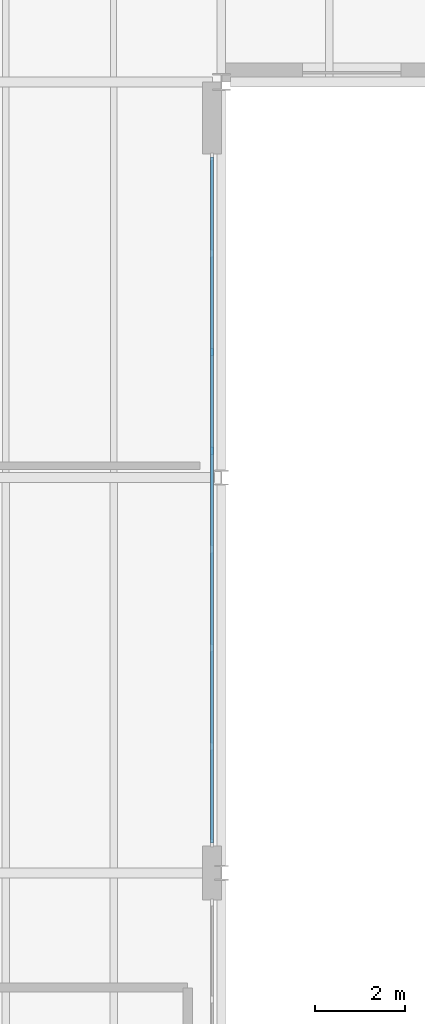
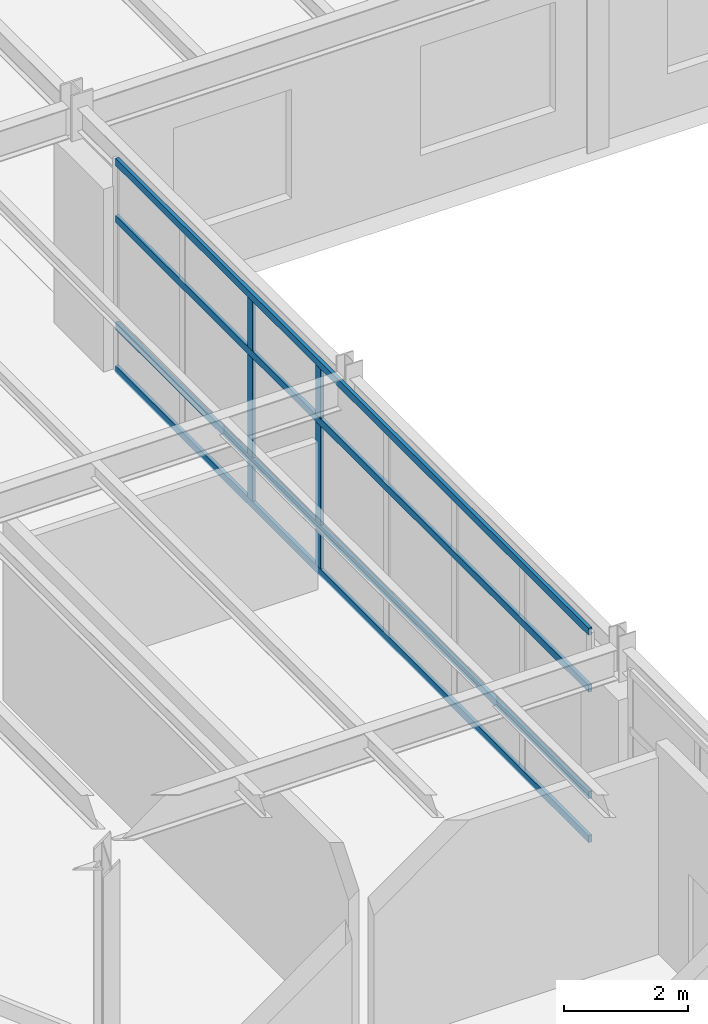
# One storey, part 23 of 88: 6 members, 1 element without a shape of its own.
"""IFC4 building model written with IfcOpenShell, lengths in metres."""

from ifc_helpers import new_model, si_unit, direction, frame, origin, origin_2d, place, context, subcontext, project, spatial, rectangle, extrude, material, material_profile, profile_set, type_object, element, aggregate, save


model = new_model("IFC4")

# Units and contexts
model_context = context("Model", 3, precision=1e-05, world=origin(), true_north=direction((0.0, 1.0)))
body_context = subcontext(model_context, "Body", "Model", "MODEL_VIEW")
ifc_project = project(units=[si_unit("LENGTHUNIT", "METRE"), si_unit("AREAUNIT", "SQUARE_METRE"), si_unit("VOLUMEUNIT", "CUBIC_METRE"), si_unit("PLANEANGLEUNIT", "RADIAN"), si_unit("MASSUNIT", "GRAM", prefix="KILO")], contexts=[model_context])

# Site, building, storey
site_placement = place(None, origin())
site = spatial("IfcSite", under=ifc_project, at=site_placement, CompositionType="ELEMENT")
building_placement = place(site_placement, origin())
building = spatial("IfcBuilding", under=site, at=building_placement, Name="Sarnbrook Museum", CompositionType="ELEMENT")
storey_placement = place(building_placement, frame((0.0, 0.0, 10.10009765625)))
storey = spatial("IfcBuildingStorey", under=building, at=storey_placement, Name="L02", CompositionType="ELEMENT", Elevation=10.10009765625)

# Curtain wall, members
ifc_material = material(Name="Thermally Broken Anodised Aluminium 6063-T6", Category="aluminium")
curtain_wall_type = type_object("IfcCurtainWallType", Name="CurtainWall_GalleryRibbon", PredefinedType="NOTDEFINED", material=ifc_material)
curtain_wall_placement = place(storey_placement, origin())
curtain_wall = element("IfcCurtainWall", 1, at=curtain_wall_placement, inside=storey, type_object=curtain_wall_type, Name="Gallery Ribbon Curtain Wall L02-12.2", PredefinedType="NOTDEFINED")
ifc_material_profile_1 = material_profile(ifc_material, rectangle(XDim=0.06005859375, YDim=0.159912109375, at=origin_2d()), Name="ALU MULLION 60x160")
ifc_profile_set_1 = profile_set([ifc_material_profile_1], Name="Thermally Broken Anodised Aluminium 6063-T6")
member_type_1 = type_object("IfcMemberType", Name="CW_Mullion_150x65", PredefinedType="MULLION", material=ifc_profile_set_1)
member_1_placement = place(storey_placement, frame((42.18994140625, 66.197021484375, 0.0), z_axis=(0.0, 0.0, 1.0), x_axis=(1.0, 0.0, 0.0)))
member_1 = element("IfcMember", 2, at=member_1_placement, type_object=member_type_1, Name="Gallery Ribbon Curtain Wall L02-12.2 Mullion 5", PredefinedType="MULLION", context=body_context, shape_type="SweptSolid", body=[
    extrude(rectangle(XDim=0.06005859375, YDim=0.159912109375, at=origin_2d()), origin(), (0.0, 0.0, 1.0), 4.159912109375),
])
member_2_placement = place(storey_placement, frame((42.18994140625, 68.391357421875, 0.0), z_axis=(0.0, 0.0, 1.0), x_axis=(1.0, 0.0, 0.0)))
member_2 = element("IfcMember", 3, at=member_2_placement, type_object=member_type_1, Name="Gallery Ribbon Curtain Wall L02-12.2 Mullion 6", PredefinedType="MULLION", context=body_context, shape_type="SweptSolid", body=[
    extrude(rectangle(XDim=0.06005859375, YDim=0.159912109375, at=origin_2d()), origin(), (0.0, 0.0, 1.0), 4.159912109375),
])
ifc_material_profile_2 = material_profile(ifc_material, rectangle(XDim=0.06494140625, YDim=0.139892578125, at=origin_2d()), Name="ALU TRANSOM 65x140")
ifc_profile_set_2 = profile_set([ifc_material_profile_2], Name="Thermally Broken Anodised Aluminium 6063-T6")
member_type_2 = type_object("IfcMemberType", Name="CW_Transom_150x65", PredefinedType="USERDEFINED", material=ifc_profile_set_2)
member_3_placement = place(storey_placement, frame((42.18994140625, 57.469970703125, 0.039794921875), z_axis=(0.0, 1.0, 0.0), x_axis=(-1.0, 0.0, 0.0)))
member_3 = element("IfcMember", 4, at=member_3_placement, type_object=member_type_2, Name="Gallery Ribbon Curtain Wall L02-12.2 Transom 1", ObjectType="TRANSOM", PredefinedType="USERDEFINED", context=body_context, shape_type="SweptSolid", body=[
    extrude(rectangle(XDim=0.06494140625, YDim=0.139892578125, at=origin_2d()), origin(), (0.0, 0.0, 1.0), 15.260009765625),
])
member_4_placement = place(storey_placement, frame((42.18994140625, 57.469970703125, 0.89990234375), z_axis=(0.0, 1.0, 0.0), x_axis=(-1.0, 0.0, 0.0)))
member_4 = element("IfcMember", 5, at=member_4_placement, type_object=member_type_2, Name="Gallery Ribbon Curtain Wall L02-12.2 Transom 2", ObjectType="TRANSOM", PredefinedType="USERDEFINED", context=body_context, shape_type="SweptSolid", body=[
    extrude(rectangle(XDim=0.06494140625, YDim=0.139892578125, at=origin_2d()), origin(), (0.0, 0.0, 1.0), 15.260009765625),
])
member_5_placement = place(storey_placement, frame((42.18994140625, 57.469970703125, 3.0), z_axis=(0.0, 1.0, 0.0), x_axis=(-1.0, 0.0, 0.0)))
member_5 = element("IfcMember", 6, at=member_5_placement, type_object=member_type_2, Name="Gallery Ribbon Curtain Wall L02-12.2 Transom 3", ObjectType="TRANSOM", PredefinedType="USERDEFINED", context=body_context, shape_type="SweptSolid", body=[
    extrude(rectangle(XDim=0.06494140625, YDim=0.139892578125, at=origin_2d()), origin(), (0.0, 0.0, 1.0), 15.260009765625),
])
member_6_placement = place(storey_placement, frame((42.18994140625, 57.469970703125, 4.119873046875), z_axis=(0.0, 1.0, 0.0), x_axis=(-1.0, 0.0, 0.0)))
member_6 = element("IfcMember", 7, at=member_6_placement, type_object=member_type_2, Name="Gallery Ribbon Curtain Wall L02-12.2 Transom 4", ObjectType="TRANSOM", PredefinedType="USERDEFINED", context=body_context, shape_type="SweptSolid", body=[
    extrude(rectangle(XDim=0.06494140625, YDim=0.139892578125, at=origin_2d()), origin(), (0.0, 0.0, 1.0), 15.260009765625),
])
aggregate(curtain_wall, [member_1, member_2, member_3, member_4, member_5, member_6])

save(model, "model.ifc")
